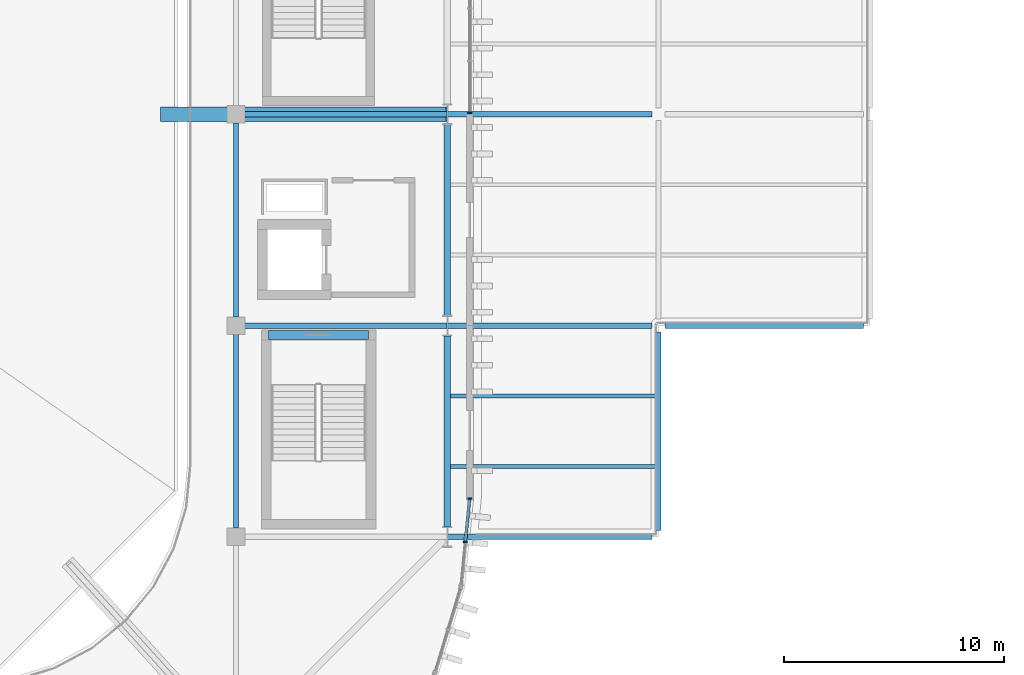
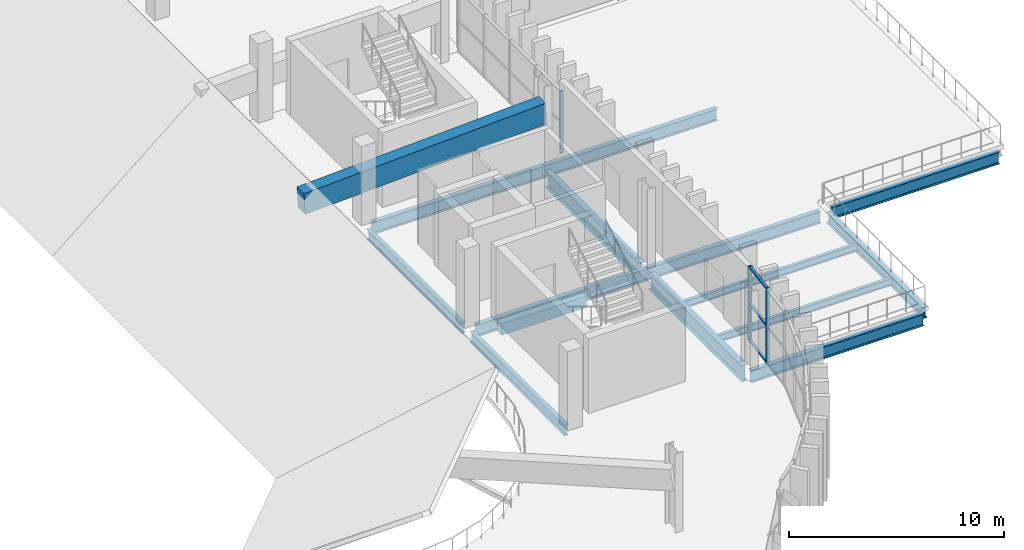
# One storey, part 21 of 69: 15 beams, 6 members, 2 elements without a shape of their own.
"""IFC4 building model written with IfcOpenShell, lengths in metres."""

import ifcopenshell
import ifcopenshell.guid

model = None  # the IFC model being written
_history = None  # IfcOwnerHistory: only IFC2X3 demands one
_inside = {}  # id of a spatial element -> (the spatial element, [elements in it])
_under = {}  # id of a project, library or spatial element -> (it, [spatial elements below it])
_declared = {}  # id of a project -> (the project, [libraries it declares])
_typed = {}  # id of a type object -> (the type object, [elements of that type])
_made_of = {}  # id of a material, layer set ... -> (it, [elements and type objects made of it])


def new_model(schema):
    """Start an empty IFC model of exactly this schema.

    Asked for "IFC4X3", IfcOpenShell would pick the latest addendum, in which some entities
    have other attributes; the version numbers below select the first issue.
    IFC2X3 requires an IfcOwnerHistory on every rooted entity: one is made here for all.
    """
    global model, _history
    if schema == "IFC4X3":
        model = ifcopenshell.file(schema_version=(4, 3, 0, 0))
    else:
        model = ifcopenshell.file(schema=schema)
    _inside.clear()
    _under.clear()
    _declared.clear()
    _typed.clear()
    _made_of.clear()
    _history = None
    if model.schema == "IFC2X3":
        org = make("IfcOrganization", Name="unknown")
        user = make(
            "IfcPersonAndOrganization",
            ThePerson=make("IfcPerson", FamilyName="unknown"),
            TheOrganization=org,
        )
        app = make(
            "IfcApplication",
            ApplicationDeveloper=org,
            Version="unknown",
            ApplicationFullName="unknown",
            ApplicationIdentifier="unknown",
        )
        _history = make(
            "IfcOwnerHistory",
            OwningUser=user,
            OwningApplication=app,
            ChangeAction="ADDED",
            CreationDate=0,
        )
    return model


def make(cls, **values):
    """One entity of the class cls with the attributes given. An attribute that is None is left unset."""
    return model.create_entity(
        cls, **{name: value for name, value in values.items() if value is not None}
    )


def rooted(cls, **values):
    """An entity with a GlobalId (a new one), such as an element, a storey or a relation."""
    return make(cls, GlobalId=ifcopenshell.guid.new(), OwnerHistory=_history, **values)


def si_unit(unit_type, name, prefix=None):
    """IfcSIUnit, for example si_unit("LENGTHUNIT", "METRE", prefix="MILLI")."""
    return make("IfcSIUnit", UnitType=unit_type, Prefix=prefix, Name=name)


def assignment(units):
    """IfcUnitAssignment: the units of a project."""
    return None if units is None else make("IfcUnitAssignment", Units=units)


def point(xyz):
    """IfcCartesianPoint."""
    return None if xyz is None else make("IfcCartesianPoint", Coordinates=xyz)


def direction(xyz):
    """IfcDirection."""
    return None if xyz is None else make("IfcDirection", DirectionRatios=xyz)


def frame(location, z_axis=None, x_axis=None):
    """IfcAxis2Placement3D, a coordinate frame: its origin and axes. An axis left out is left unset."""
    return make(
        "IfcAxis2Placement3D",
        Location=point(location),
        Axis=direction(z_axis),
        RefDirection=direction(x_axis),
    )


def frame_2d(location, x_axis=None):
    """IfcAxis2Placement2D, a coordinate frame in the plane: its origin and x axis."""
    return make(
        "IfcAxis2Placement2D", Location=point(location), RefDirection=direction(x_axis)
    )


def origin():
    """The frame at (0, 0, 0) with its axes left unset."""
    return frame((0.0, 0.0, 0.0))


def origin_2d():
    """The frame at (0, 0) in the plane with its x axis left unset."""
    return frame_2d((0.0, 0.0))


def place(relative_to, where):
    """IfcLocalPlacement: puts the frame where relative to a parent placement (None: the world)."""
    return make(
        "IfcLocalPlacement", PlacementRelTo=relative_to, RelativePlacement=where
    )


def context(
    kind, dimensions, precision=None, world=None, true_north=None, identifier=None
):
    """IfcGeometricRepresentationContext, for example the 3D "Model" context."""
    return make(
        "IfcGeometricRepresentationContext",
        ContextIdentifier=identifier,
        ContextType=kind,
        CoordinateSpaceDimension=dimensions,
        Precision=precision,
        WorldCoordinateSystem=world,
        TrueNorth=true_north,
    )


def subcontext(parent, identifier, kind, view, scale=None):
    """IfcGeometricRepresentationSubContext, for example "Body" below "Model"."""
    return make(
        "IfcGeometricRepresentationSubContext",
        ContextIdentifier=identifier,
        ContextType=kind,
        ParentContext=parent,
        TargetScale=scale,
        TargetView=view,
    )


def project(units=None, contexts=None):
    """IfcProject with its units and contexts."""
    return rooted(
        "IfcProject",
        Name="project",
        RepresentationContexts=contexts,
        UnitsInContext=assignment(units),
    )


def spatial(cls, under=None, at=None, **own):
    """A site, building, storey or space (cls), placed at a placement, below another one or the project."""
    s = rooted(cls, ObjectPlacement=at, **own)
    if under is not None:
        _under.setdefault(under.id(), (under, []))[1].append(s)
    return s


def profile(cls, at=None, kind="AREA", **sizes):
    """A parametric profile (cls). Its sizes go by their IFC names, for example OverallWidth=200.0."""
    return make(cls, ProfileType=kind, Position=at, **sizes)


def rectangle(**sizes):
    """IfcRectangleProfileDef."""
    return profile("IfcRectangleProfileDef", **sizes)


def i_section(**sizes):
    """IfcIShapeProfileDef."""
    return profile("IfcIShapeProfileDef", **sizes)


def extrude(swept, where, along, depth):
    """IfcExtrudedAreaSolid: the profile swept, set in the frame where, extruded along a direction by depth."""
    return make(
        "IfcExtrudedAreaSolid",
        SweptArea=swept,
        Position=where,
        ExtrudedDirection=direction(along),
        Depth=depth,
    )


def shape(context_of_items, identifier, shape_type, items):
    """IfcShapeRepresentation: the items that make up one representation, for example the "Body"."""
    return make(
        "IfcShapeRepresentation",
        ContextOfItems=context_of_items,
        RepresentationIdentifier=identifier,
        RepresentationType=shape_type,
        Items=items,
    )


def material(Name=None, Category=None):
    """IfcMaterial."""
    return make("IfcMaterial", Name=Name, Category=Category)


def layer(
    of_material, thickness, ventilated=None, Name=None, Category=None, Priority=None
):
    """IfcMaterialLayer: one layer of a wall or slab, of a material (None: an air gap)."""
    return make(
        "IfcMaterialLayer",
        Material=of_material,
        LayerThickness=thickness,
        IsVentilated=ventilated,
        Name=Name,
        Category=Category,
        Priority=Priority,
    )


def layer_set(layers, Name=None):
    """IfcMaterialLayerSet."""
    return make("IfcMaterialLayerSet", MaterialLayers=layers, LayerSetName=Name)


def material_profile(
    of_material, cross_section, Name=None, Category=None, Priority=None
):
    """IfcMaterialProfile: a cross section and its material."""
    return make(
        "IfcMaterialProfile",
        Name=Name,
        Material=of_material,
        Profile=cross_section,
        Priority=Priority,
        Category=Category,
    )


def profile_set(profiles, Name=None, composite=None):
    """IfcMaterialProfileSet."""
    return make(
        "IfcMaterialProfileSet",
        Name=Name,
        MaterialProfiles=profiles,
        CompositeProfile=composite,
    )


def made_of(thing, what):
    """Note that an element or type object is made of a material, layer set ...; save() writes the relation."""
    if what is not None:
        _made_of.setdefault(what.id(), (what, []))[1].append(thing)
    return thing


def type_object(cls, material=None, **own):
    """A type object (cls), such as IfcWallType, which elements share."""
    return made_of(rooted(cls, **own), material)


def element(
    cls,
    number,
    at=None,
    inside=None,
    cuts=None,
    type_object=None,
    material=None,
    context=None,
    identifier="Body",
    shape_type=None,
    held_by="IfcProductDefinitionShape",
    body=None,
    shapes=None,
    **own,
):
    """One element of the class cls, such as IfcWall. Its Tag is "e" and its number.

    at: its placement. inside: the storey or other place that contains it. cuts: it is an
    opening in that element (IfcRelVoidsElement). A single representation is given by context,
    identifier, shape_type and body (its items); several are given by shapes. held_by: the class
    of the entity that holds the representations. save() writes the other relations.
    """
    e = rooted(cls, Tag="e%d" % number, ObjectPlacement=at, **own)
    if body is not None:
        shapes = [shape(context, identifier, shape_type, body)]
    if shapes is not None:
        e.Representation = make(held_by, Representations=shapes)
    if inside is not None:
        _inside.setdefault(inside.id(), (inside, []))[1].append(e)
    if cuts is not None:
        rooted(
            "IfcRelVoidsElement", RelatingBuildingElement=cuts, RelatedOpeningElement=e
        )
    if type_object is not None:
        _typed.setdefault(type_object.id(), (type_object, []))[1].append(e)
    return made_of(e, material)


def aggregate(whole, parts):
    """IfcRelAggregates: a whole, such as a stair, and the parts it consists of."""
    return rooted("IfcRelAggregates", RelatingObject=whole, RelatedObjects=parts)


def save(model, path):
    """Write the relations noted so far, then the file.

    IfcRelAggregates (storeys below a building ...), IfcRelContainedInSpatialStructure (elements
    in a storey), IfcRelDefinesByType, IfcRelAssociatesMaterial and IfcRelDeclares: one each for
    every whole, place, type object, material and project.
    """
    for whole, parts in _under.values():
        aggregate(whole, parts)
    for where, things in _inside.values():
        rooted(
            "IfcRelContainedInSpatialStructure",
            RelatedElements=things,
            RelatingStructure=where,
        )
    for kind, things in _typed.values():
        rooted("IfcRelDefinesByType", RelatedObjects=things, RelatingType=kind)
    for what, things in _made_of.values():
        rooted("IfcRelAssociatesMaterial", RelatedObjects=things, RelatingMaterial=what)
    for by, libraries in _declared.values():
        rooted("IfcRelDeclares", RelatingContext=by, RelatedDefinitions=libraries)
    model.write(path)


model = new_model("IFC4")

# Units and contexts
model_context = context("Model", 3, precision=1e-05, world=origin(), true_north=direction((0.0, 1.0)))
body_context = subcontext(model_context, "Body", "Model", "MODEL_VIEW")
ifc_project = project(units=[si_unit("LENGTHUNIT", "METRE"), si_unit("AREAUNIT", "SQUARE_METRE"), si_unit("VOLUMEUNIT", "CUBIC_METRE"), si_unit("PLANEANGLEUNIT", "RADIAN"), si_unit("MASSUNIT", "GRAM", prefix="KILO")], contexts=[model_context])

# Site, building, storey
site_placement = place(None, origin())
site = spatial("IfcSite", under=ifc_project, at=site_placement, CompositionType="ELEMENT")
building_placement = place(site_placement, origin())
building = spatial("IfcBuilding", under=site, at=building_placement, Name="Caelomonte Colonnade Arena", CompositionType="ELEMENT")
storey_placement = place(building_placement, frame((0.0, 0.0, 18.60009765625)))
storey = spatial("IfcBuildingStorey", under=building, at=storey_placement, Name="L04", CompositionType="ELEMENT", Elevation=18.60009765625)

# Curtain wall, members
ifc_material_1 = material(Name="Bronze anodised aluminium and low-E glazing", Category="aluminium")
ifc_layer_1 = layer(ifc_material_1, 0.179931640625)
ifc_layer_set_1 = layer_set([ifc_layer_1], Name="Bronze anodised aluminium and low-E glazing")
curtain_wall_type_1 = type_object("IfcCurtainWallType", Name="ENV-CW-CW-L04-44-42", PredefinedType="USERDEFINED", material=ifc_layer_set_1)
curtain_wall_1_placement = place(storey_placement, origin())
curtain_wall_1 = element("IfcCurtainWall", 1, at=curtain_wall_1_placement, inside=storey, type_object=curtain_wall_type_1, Name="L04 unitized curtain wall CW-L04-1640-0382", ObjectType="UNITIZED CURTAIN WALL", PredefinedType="USERDEFINED")
ifc_material_2 = material(Name="Bronze anodised aluminium AA6063-T6", Category="aluminium")
ifc_material_profile_1 = material_profile(ifc_material_2, rectangle(XDim=0.070068359375, YDim=0.179931640625, at=origin_2d()), Name="CWM-70X180")
ifc_profile_set_1 = profile_set([ifc_material_profile_1], Name="Bronze anodised aluminium AA6063-T6")
member_type_1 = type_object("IfcMemberType", Name="ENV-CW-MULL1", PredefinedType="MULLION", material=ifc_profile_set_1)
member_1_placement = place(storey_placement, frame((164.01904296875, 38.169189453125, 0.0), z_axis=(0.0, 0.0, 1.0), x_axis=(0.098002498041, 0.995186168703, 0.0)))
member_1 = element("IfcMember", 2, at=member_1_placement, type_object=member_type_1, Name="CW-L04-44-42 mullion 2", PredefinedType="MULLION", context=body_context, shape_type="SweptSolid", body=[
    extrude(rectangle(XDim=0.070068359375, YDim=0.179931640625, at=origin_2d()), origin(), (0.0, 0.0, 1.0), 4.239990234375),
])
member_2_placement = place(storey_placement, frame((164.21337890625, 40.14306640625, 0.0), z_axis=(0.0, 0.0, 1.0), x_axis=(0.098002498041, 0.995186168703, 0.0)))
member_2 = element("IfcMember", 3, at=member_2_placement, type_object=member_type_1, Name="CW-L04-44-42 mullion 3", PredefinedType="MULLION", context=body_context, shape_type="SweptSolid", body=[
    extrude(rectangle(XDim=0.070068359375, YDim=0.179931640625, at=origin_2d()), origin(), (0.0, 0.0, 1.0), 4.239990234375),
])

# Curtain wall, member
ifc_layer_2 = layer(ifc_material_1, 0.179931640625)
ifc_layer_set_2 = layer_set([ifc_layer_2], Name="Bronze anodised aluminium and low-E glazing")
curtain_wall_type_2 = type_object("IfcCurtainWallType", Name="ENV-CW-CW-L04-97-36", PredefinedType="USERDEFINED", material=ifc_layer_set_2)
curtain_wall_2_placement = place(storey_placement, origin())
curtain_wall_2 = element("IfcCurtainWall", 4, at=curtain_wall_2_placement, inside=storey, type_object=curtain_wall_type_2, Name="L04 unitized curtain wall CW-L04-1642-0625", ObjectType="UNITIZED CURTAIN WALL", PredefinedType="USERDEFINED")
member_3_placement = place(storey_placement, frame((164.219970703125, 57.675048828125, 0.0), z_axis=(0.0, 0.0, 1.0), x_axis=(0.0, 1.0, 0.0)))
member_3 = element("IfcMember", 5, at=member_3_placement, type_object=member_type_1, Name="CW-L04-97-36 mullion 1", PredefinedType="MULLION", context=body_context, shape_type="SweptSolid", body=[
    extrude(rectangle(XDim=0.070068359375, YDim=0.179931640625, at=origin_2d()), origin(), (0.0, 0.0, 1.0), 3.561767578125),
])
aggregate(curtain_wall_2, [member_3])

# Member
ifc_material_profile_2 = material_profile(ifc_material_2, rectangle(XDim=0.070068359375, YDim=0.139892578125, at=origin_2d()), Name="CWT-70X140")
ifc_profile_set_2 = profile_set([ifc_material_profile_2], Name="Bronze anodised aluminium AA6063-T6")
member_type_2 = type_object("IfcMemberType", Name="ENV-CW-TRAN1", PredefinedType="USERDEFINED", material=ifc_profile_set_2)
member_4_placement = place(storey_placement, frame((164.0224609375, 38.2041015625, 0.034912109375), z_axis=(0.098000148132, 0.995186400111, 0.0), x_axis=(0.0, 0.0, 1.0)))
member_4 = element("IfcMember", 6, at=member_4_placement, type_object=member_type_2, Name="CW-L04-44-42 transom 2.1", ObjectType="TRANSOM", PredefinedType="USERDEFINED", context=body_context, shape_type="SweptSolid", body=[
    extrude(rectangle(XDim=0.070068359375, YDim=0.139892578125, at=origin_2d()), origin(), (0.0, 0.0, 1.0), 1.913330078125),
])

member_5_placement = place(storey_placement, frame((164.0224609375, 38.2041015625, 2.119873046875), z_axis=(0.098000148132, 0.995186400111, 0.0), x_axis=(0.0, 0.0, 1.0)))
member_5 = element("IfcMember", 7, at=member_5_placement, type_object=member_type_2, Name="CW-L04-44-42 transom 2.2", ObjectType="TRANSOM", PredefinedType="USERDEFINED", context=body_context, shape_type="SweptSolid", body=[
    extrude(rectangle(XDim=0.070068359375, YDim=0.139892578125, at=origin_2d()), origin(), (0.0, 0.0, 1.0), 1.913330078125),
])

member_6_placement = place(storey_placement, frame((164.0224609375, 38.2041015625, 4.204833984375), z_axis=(0.098000148132, 0.995186400111, 0.0), x_axis=(0.0, 0.0, 1.0)))
member_6 = element("IfcMember", 8, at=member_6_placement, type_object=member_type_2, Name="CW-L04-44-42 transom 2.3", ObjectType="TRANSOM", PredefinedType="USERDEFINED", context=body_context, shape_type="SweptSolid", body=[
    extrude(rectangle(XDim=0.070068359375, YDim=0.139892578125, at=origin_2d()), origin(), (0.0, 0.0, 1.0), 1.913330078125),
])

aggregate(curtain_wall_1, [member_1, member_2, member_4, member_5, member_6])

# Beams
ifc_material_3 = material(Name="Wide-flange steel ASTM A992 Grade 50", Category="steel")
ifc_material_profile_3 = material_profile(ifc_material_3, i_section(OverallWidth=0.307861328125, OverallDepth=0.927001953125, WebThickness=0.019287109375, FlangeThickness=0.031982421875, FilletRadius=0.020263671875, at=origin_2d()), Name="W36X194")
ifc_profile_set_3 = profile_set([ifc_material_profile_3], Name="Wide-flange steel ASTM A992 Grade 50")
beam_type_1 = type_object("IfcBeamType", Name="STR-BM-EAVES2", PredefinedType="SPANDREL", material=ifc_profile_set_3)
for number, where, z_axis, x_axis, name in (
    (9, (163.199951171875, 38.86572265625, -0.7236328125), (0.0, 1.0, 0.0), (-1.0, 0.0, 0.0), "L04 girder BMY-L04-1632-0384"),
    (10, (163.199951171875, 48.4658203125, -0.7236328125), (0.0, 1.0, 0.0), (-1.0, 0.0, 0.0), "L04 girder BMY-L04-1632-0480"),
):
    element("IfcBeam", number, at=place(storey_placement, frame(where, z_axis=z_axis, x_axis=x_axis)), inside=storey, type_object=beam_type_1, Name=name, PredefinedType="SPANDREL", context=body_context, shape_type="SweptSolid", body=[
        extrude(i_section(OverallWidth=0.307861328125, OverallDepth=0.927001953125, WebThickness=0.019287109375, FlangeThickness=0.031982421875, FilletRadius=0.020263671875, at=origin_2d()), origin(), (0.0, 0.0, 1.0), 8.66845703125),
    ])
ifc_material_profile_4 = material_profile(ifc_material_3, i_section(OverallWidth=0.227783203125, OverallDepth=0.60205078125, WebThickness=0.010498046875, FlangeThickness=0.014892578125, FilletRadius=0.0126953125, at=origin_2d()), Name="W24X68")
ifc_profile_set_4 = profile_set([ifc_material_profile_4], Name="Wide-flange steel ASTM A992 Grade 50")
beam_type_2 = type_object("IfcBeamType", Name="STR-BM-GIRD24B", PredefinedType="SPANDREL", material=ifc_profile_set_4)
for number, where, z_axis, x_axis, name in (
    (11, (153.60009765625, 38.7919921875, -0.56103515625), (0.0, 1.0, 0.0), (-1.0, 0.0, 0.0), "L04 girder BMY-L04-1536-0384"),
    (12, (153.60009765625, 48.39208984375, -0.56103515625), (0.0, 1.0, 0.0), (-1.0, 0.0, 0.0), "L04 girder BMY-L04-1536-0480"),
):
    element("IfcBeam", number, at=place(storey_placement, frame(where, z_axis=z_axis, x_axis=x_axis)), inside=storey, type_object=beam_type_2, Name=name, PredefinedType="SPANDREL", context=body_context, shape_type="SweptSolid", body=[
        extrude(i_section(OverallWidth=0.227783203125, OverallDepth=0.60205078125, WebThickness=0.010498046875, FlangeThickness=0.014892578125, FilletRadius=0.0126953125, at=origin_2d()), origin(), (0.0, 0.0, 1.0), 8.81591796875),
    ])
beam_1_placement = place(storey_placement, frame((172.800048828125, 38.69189453125, -0.56103515625), z_axis=(0.0, 1.0, 0.0), x_axis=(-1.0, 0.0, 0.0)))
element("IfcBeam", 13, at=beam_1_placement, inside=storey, type_object=beam_type_2, Name="L04 girder BMY-L04-1728-0384", PredefinedType="SPANDREL", context=body_context, shape_type="SweptSolid", body=[
    extrude(i_section(OverallWidth=0.227783203125, OverallDepth=0.60205078125, WebThickness=0.010498046875, FlangeThickness=0.014892578125, FilletRadius=0.0126953125, at=origin_2d()), origin(), (0.0, 0.0, 1.0), 9.01611328125),
])
ifc_material_profile_5 = material_profile(ifc_material_3, i_section(OverallWidth=0.253662109375, OverallDepth=0.683349609375, WebThickness=0.012451171875, FlangeThickness=0.018798828125, FilletRadius=0.01513671875, at=origin_2d()), Name="W27X94")
ifc_profile_set_5 = profile_set([ifc_material_profile_5], Name="Wide-flange steel ASTM A992 Grade 50")
beam_type_3 = type_object("IfcBeamType", Name="STR-BM-GIRD27", PredefinedType="BEAM", material=ifc_profile_set_5)
beam_2_placement = place(storey_placement, frame((163.2119140625, 38.39990234375, -0.601806640625), z_axis=(1.0, 0.0, 0.0), x_axis=(0.0, 1.0, 0.0)))
element("IfcBeam", 14, at=beam_2_placement, inside=storey, type_object=beam_type_3, Name="L04 girder BMX-L04-1632-0384", PredefinedType="BEAM", context=body_context, shape_type="SweptSolid", body=[
    extrude(i_section(OverallWidth=0.253662109375, OverallDepth=0.683349609375, WebThickness=0.012451171875, FlangeThickness=0.018798828125, FilletRadius=0.01513671875, at=origin_2d()), origin(), (0.0, 0.0, 1.0), 9.296142578125),
])
beam_3_placement = place(storey_placement, frame((153.991943359375, 48.0, -0.601806640625), z_axis=(1.0, 0.0, 0.0), x_axis=(0.0, 1.0, 0.0)))
element("IfcBeam", 15, at=beam_3_placement, inside=storey, type_object=beam_type_3, Name="L04 girder BMX-L04-1536-0480", PredefinedType="BEAM", context=body_context, shape_type="SweptSolid", body=[
    extrude(i_section(OverallWidth=0.253662109375, OverallDepth=0.683349609375, WebThickness=0.012451171875, FlangeThickness=0.018798828125, FilletRadius=0.01513671875, at=origin_2d()), origin(), (0.0, 0.0, 1.0), 9.196044921875),
])
beam_4_placement = place(storey_placement, frame((163.2119140625, 48.0, -0.601806640625), z_axis=(1.0, 0.0, 0.0), x_axis=(0.0, 1.0, 0.0)))
element("IfcBeam", 16, at=beam_4_placement, inside=storey, type_object=beam_type_3, Name="L04 girder BMX-L04-1632-0480", PredefinedType="BEAM", context=body_context, shape_type="SweptSolid", body=[
    extrude(i_section(OverallWidth=0.253662109375, OverallDepth=0.683349609375, WebThickness=0.012451171875, FlangeThickness=0.018798828125, FilletRadius=0.01513671875, at=origin_2d()), origin(), (0.0, 0.0, 1.0), 9.296142578125),
])
beam_5_placement = place(storey_placement, frame((173.092041015625, 48.0, -0.601806640625), z_axis=(1.0, 0.0, 0.0), x_axis=(0.0, 1.0, 0.0)))
element("IfcBeam", 17, at=beam_5_placement, inside=storey, type_object=beam_type_3, Name="L04 girder BMX-L04-1728-0480", PredefinedType="BEAM", context=body_context, shape_type="SweptSolid", body=[
    extrude(i_section(OverallWidth=0.253662109375, OverallDepth=0.683349609375, WebThickness=0.012451171875, FlangeThickness=0.018798828125, FilletRadius=0.01513671875, at=origin_2d()), origin(), (0.0, 0.0, 1.0), 9.015869140625),
])
beam_6_placement = place(storey_placement, frame((153.991943359375, 57.60009765625, -0.601806640625), z_axis=(1.0, 0.0, 0.0), x_axis=(0.0, 1.0, 0.0)))
element("IfcBeam", 18, at=beam_6_placement, inside=storey, type_object=beam_type_3, Name="L04 girder BMX-L04-1536-0576", PredefinedType="BEAM", context=body_context, shape_type="SweptSolid", body=[
    extrude(i_section(OverallWidth=0.253662109375, OverallDepth=0.683349609375, WebThickness=0.012451171875, FlangeThickness=0.018798828125, FilletRadius=0.01513671875, at=origin_2d()), origin(), (0.0, 0.0, 1.0), 9.196044921875),
])
beam_7_placement = place(storey_placement, frame((163.2119140625, 57.60009765625, -0.601806640625), z_axis=(1.0, 0.0, 0.0), x_axis=(0.0, 1.0, 0.0)))
element("IfcBeam", 19, at=beam_7_placement, inside=storey, type_object=beam_type_3, Name="L04 girder BMX-L04-1632-0576", PredefinedType="BEAM", context=body_context, shape_type="SweptSolid", body=[
    extrude(i_section(OverallWidth=0.253662109375, OverallDepth=0.683349609375, WebThickness=0.012451171875, FlangeThickness=0.018798828125, FilletRadius=0.01513671875, at=origin_2d()), origin(), (0.0, 0.0, 1.0), 9.296142578125),
])
ifc_material_profile_6 = material_profile(ifc_material_3, i_section(OverallWidth=0.177734375, OverallDepth=0.406494140625, WebThickness=0.0078125, FlangeThickness=0.0126953125, FilletRadius=0.01025390625, at=origin_2d()), Name="W16X40")
ifc_profile_set_6 = profile_set([ifc_material_profile_6], Name="Wide-flange steel ASTM A992 Grade 50")
beam_type_4 = type_object("IfcBeamType", Name="STR-BM-JOIST16", PredefinedType="JOIST", material=ifc_profile_set_6)
for number, where, z_axis, x_axis, name in (
    (20, (163.348876953125, 41.60009765625, -0.46337890625), (1.0, 0.0, 0.0), (0.0, 1.0, 0.0), "L04 secondary joist 1"),
    (21, (163.348876953125, 44.800048828125, -0.46337890625), (1.0, 0.0, 0.0), (0.0, 1.0, 0.0), "L04 secondary joist 2"),
):
    element("IfcBeam", number, at=place(storey_placement, frame(where, z_axis=z_axis, x_axis=x_axis)), inside=storey, type_object=beam_type_4, Name=name, PredefinedType="JOIST", context=body_context, shape_type="SweptSolid", body=[
        extrude(i_section(OverallWidth=0.177734375, OverallDepth=0.406494140625, WebThickness=0.0078125, FlangeThickness=0.0126953125, FilletRadius=0.01025390625, at=origin_2d()), origin(), (0.0, 0.0, 1.0), 9.34228515625),
    ])
ifc_material_4 = material(Name="Concrete C40/50", Category="concrete")
ifc_material_profile_7 = material_profile(ifc_material_4, rectangle(XDim=0.39990234375, YDim=0.64990234375, at=origin_2d()), Name="RC400X650")
ifc_profile_set_7 = profile_set([ifc_material_profile_7], Name="Concrete C40/50")
beam_type_5 = type_object("IfcBeamType", Name="STR-BM-LINT40", PredefinedType="LINTEL", material=ifc_profile_set_7)
beam_8_placement = place(storey_placement, frame((155.074951171875, 47.574951171875, -0.585205078125), z_axis=(1.0, 0.0, 0.0), x_axis=(0.0, 1.0, 0.0)))
element("IfcBeam", 22, at=beam_8_placement, inside=storey, type_object=beam_type_5, Name="Core C2 L04 coupling lintel beam", PredefinedType="LINTEL", context=body_context, shape_type="SweptSolid", body=[
    extrude(rectangle(XDim=0.39990234375, YDim=0.64990234375, at=origin_2d()), origin(), (0.0, 0.0, 1.0), 4.550048828125),
])
ifc_material_5 = material(Name="Concrete C50/60", Category="concrete")
ifc_material_profile_8 = material_profile(ifc_material_5, rectangle(XDim=0.64990234375, YDim=1.199951171875, at=origin_2d()), Name="RC650X1200")
ifc_profile_set_8 = profile_set([ifc_material_profile_8], Name="Concrete C50/60")
beam_type_6 = type_object("IfcBeamType", Name="STR-BM-RKU", PredefinedType="USERDEFINED", material=ifc_profile_set_8)
beam_9_placement = place(storey_placement, frame((163.179931640625, 57.60009765625, 2.849853515625), z_axis=(-0.998933852291, 0.0, -0.046164474948), x_axis=(0.0, -1.0, 0.0)))
element("IfcBeam", 23, at=beam_9_placement, inside=storey, type_object=beam_type_6, Name="Upper bowl cantilevered raker girder E-57", ObjectType="RAKER", PredefinedType="USERDEFINED", context=body_context, shape_type="SweptSolid", body=[
    extrude(rectangle(XDim=0.64990234375, YDim=1.199951171875, at=origin_2d()), origin(), (0.0, 0.0, 1.0), 12.993896484375),
])

save(model, "model.ifc")
